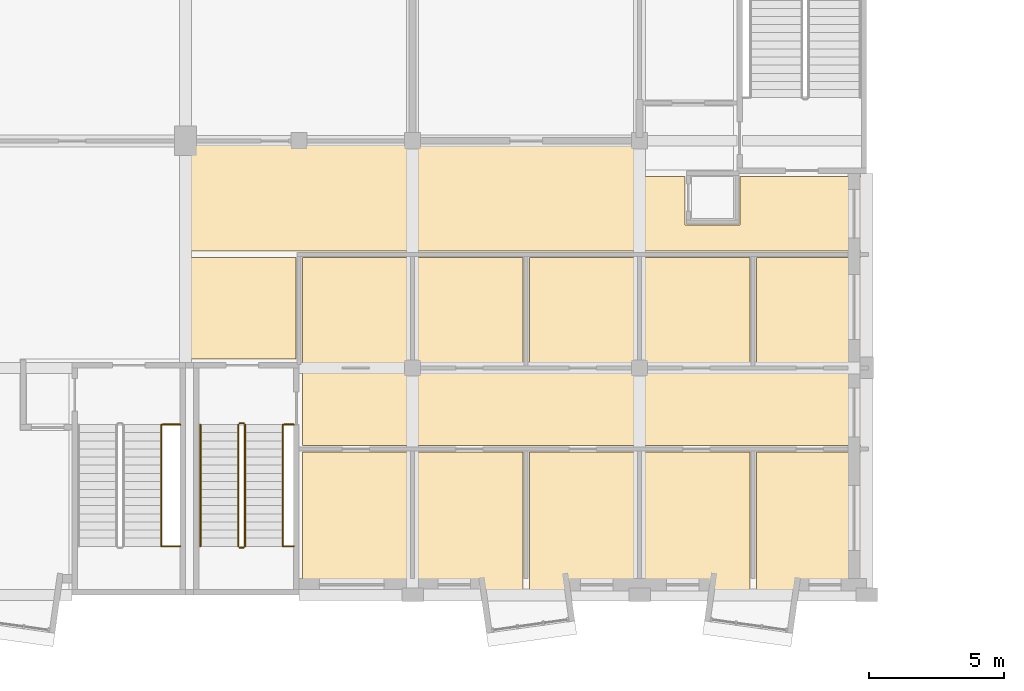
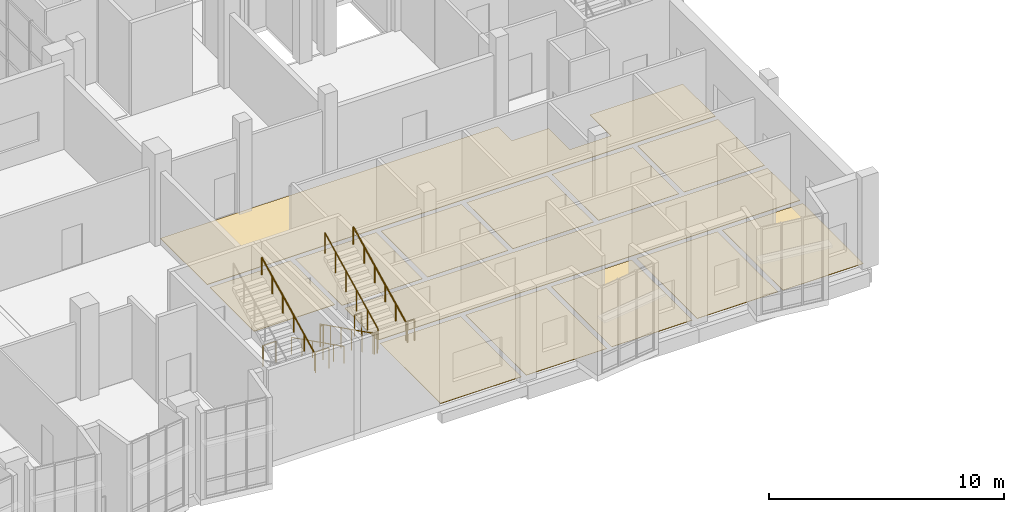
# One storey, part 69 of 91: 13 coverings, 11 railings.
"""IFC4 building model written with IfcOpenShell, lengths in metres."""

from ifc_helpers import new_model, si_unit, direction, frame, origin, origin_2d, place, context, subcontext, project, spatial, polyline, circle, outline, extrude, material, layer, layer_set, type_object, element, save


model = new_model("IFC4")

# Units and contexts
model_context = context("Model", 3, precision=1e-05, world=origin(), true_north=direction((0.0, 1.0)))
body_context = subcontext(model_context, "Body", "Model", "MODEL_VIEW")
ifc_project = project(units=[si_unit("LENGTHUNIT", "METRE"), si_unit("AREAUNIT", "SQUARE_METRE"), si_unit("VOLUMEUNIT", "CUBIC_METRE"), si_unit("PLANEANGLEUNIT", "RADIAN"), si_unit("MASSUNIT", "GRAM", prefix="KILO")], contexts=[model_context])

# Site, building, storey
site_placement = place(None, origin())
site = spatial("IfcSite", under=ifc_project, at=site_placement, CompositionType="ELEMENT")
building_placement = place(site_placement, origin())
building = spatial("IfcBuilding", under=site, at=building_placement, Name="Kiln Court Media Centre", CompositionType="ELEMENT")
storey_placement = place(building_placement, frame((0.0, 0.0, 5.39990234375)))
storey = spatial("IfcBuildingStorey", under=building, at=storey_placement, Name="L01", CompositionType="ELEMENT", Elevation=5.39990234375)

# Coverings
ifc_material_1 = material(Name="Carpet tile")
ifc_layer_1 = layer(ifc_material_1, 0.014892578125)
ifc_layer_set_1 = layer_set([ifc_layer_1], Name="Carpet tile floor finish 15")
covering_type_1 = type_object("IfcCoveringType", Name="Carpet tile floor finish 15", PredefinedType="FLOORING", material=ifc_layer_set_1)
covering_1_placement = place(storey_placement, origin())
element("IfcCovering", 1, at=covering_1_placement, inside=storey, type_object=covering_type_1, Name="Editing Suite 11 floor finish", PredefinedType="FLOORING", context=body_context, shape_type="SweptSolid", body=[
    extrude(outline(polyline([(37.919921875, 0.1201171875), (41.8798828125, 0.1201171875), (41.8798828125, 5.280029296875), (37.919921875, 5.280029296875), (37.919921875, 0.1201171875)])), origin(), (0.0, 0.0, 1.0), 0.01513671875),
])
covering_2_placement = place(storey_placement, origin())
element("IfcCovering", 2, at=covering_2_placement, inside=storey, type_object=covering_type_1, Name="Editing Suite 12 floor finish", PredefinedType="FLOORING", context=body_context, shape_type="SweptSolid", body=[
    extrude(outline(polyline([(42.1201171875, 0.1201171875), (46.080078125, 0.1201171875), (46.080078125, 5.280029296875), (42.1201171875, 5.280029296875), (42.1201171875, 0.1201171875)])), origin(), (0.0, 0.0, 1.0), 0.01513671875),
])
covering_3_placement = place(storey_placement, origin())
element("IfcCovering", 3, at=covering_3_placement, inside=storey, type_object=covering_type_1, Name="Editing Suite 13 floor finish", PredefinedType="FLOORING", context=body_context, shape_type="SweptSolid", body=[
    extrude(outline(polyline([(46.320068359375, 0.1201171875), (50.280029296875, 0.1201171875), (50.280029296875, 5.280029296875), (46.320068359375, 5.280029296875), (46.320068359375, 0.1201171875)])), origin(), (0.0, 0.0, 1.0), 0.01513671875),
])
covering_4_placement = place(storey_placement, origin())
element("IfcCovering", 4, at=covering_4_placement, inside=storey, type_object=covering_type_1, Name="Editing Suite 14 floor finish", PredefinedType="FLOORING", context=body_context, shape_type="SweptSolid", body=[
    extrude(outline(polyline([(50.52001953125, 0.1201171875), (54.47998046875, 0.1201171875), (54.47998046875, 5.280029296875), (50.52001953125, 5.280029296875), (50.52001953125, 0.1201171875)])), origin(), (0.0, 0.0, 1.0), 0.01513671875),
])
covering_5_placement = place(storey_placement, origin())
element("IfcCovering", 5, at=covering_5_placement, inside=storey, type_object=covering_type_1, Name="Editing Suite 15 floor finish", PredefinedType="FLOORING", context=body_context, shape_type="SweptSolid", body=[
    extrude(outline(polyline([(54.719970703125, 0.1201171875), (58.679931640625, 0.1201171875), (58.679931640625, 5.280029296875), (54.719970703125, 5.280029296875), (54.719970703125, 0.1201171875)])), origin(), (0.0, 0.0, 1.0), 0.01513671875),
])
covering_6_placement = place(storey_placement, origin())
element("IfcCovering", 6, at=covering_6_placement, inside=storey, type_object=covering_type_1, Name="Editing Suite 16 floor finish", PredefinedType="FLOORING", context=body_context, shape_type="SweptSolid", body=[
    extrude(outline(polyline([(37.919921875, 8.52001953125), (41.8798828125, 8.52001953125), (41.8798828125, 12.47998046875), (37.919921875, 12.47998046875), (37.919921875, 8.52001953125)])), origin(), (0.0, 0.0, 1.0), 0.01513671875),
])
covering_7_placement = place(storey_placement, origin())
element("IfcCovering", 7, at=covering_7_placement, inside=storey, type_object=covering_type_1, Name="Editing Suite 17 floor finish", PredefinedType="FLOORING", context=body_context, shape_type="SweptSolid", body=[
    extrude(outline(polyline([(42.1201171875, 8.52001953125), (46.080078125, 8.52001953125), (46.080078125, 12.47998046875), (42.1201171875, 12.47998046875), (42.1201171875, 8.52001953125)])), origin(), (0.0, 0.0, 1.0), 0.01513671875),
])
covering_8_placement = place(storey_placement, origin())
element("IfcCovering", 8, at=covering_8_placement, inside=storey, type_object=covering_type_1, Name="Editing Suite 18 floor finish", PredefinedType="FLOORING", context=body_context, shape_type="SweptSolid", body=[
    extrude(outline(polyline([(46.320068359375, 8.52001953125), (50.280029296875, 8.52001953125), (50.280029296875, 12.47998046875), (46.320068359375, 12.47998046875), (46.320068359375, 8.52001953125)])), origin(), (0.0, 0.0, 1.0), 0.01513671875),
])
covering_9_placement = place(storey_placement, origin())
element("IfcCovering", 9, at=covering_9_placement, inside=storey, type_object=covering_type_1, Name="Editing Suite 19 floor finish", PredefinedType="FLOORING", context=body_context, shape_type="SweptSolid", body=[
    extrude(outline(polyline([(50.52001953125, 8.52001953125), (54.47998046875, 8.52001953125), (54.47998046875, 12.47998046875), (50.52001953125, 12.47998046875), (50.52001953125, 8.52001953125)])), origin(), (0.0, 0.0, 1.0), 0.01513671875),
])
covering_10_placement = place(storey_placement, origin())
element("IfcCovering", 10, at=covering_10_placement, inside=storey, type_object=covering_type_1, Name="Editing Suite 20 floor finish", PredefinedType="FLOORING", context=body_context, shape_type="SweptSolid", body=[
    extrude(outline(polyline([(54.719970703125, 8.52001953125), (58.679931640625, 8.52001953125), (58.679931640625, 12.47998046875), (54.719970703125, 12.47998046875), (54.719970703125, 8.52001953125)])), origin(), (0.0, 0.0, 1.0), 0.01513671875),
])
ifc_material_2 = material(Name="Terrazzo")
ifc_layer_2 = layer(ifc_material_2, 0.02490234375)
ifc_layer_set_2 = layer_set([ifc_layer_2], Name="Polished terrazzo floor finish 25")
covering_type_2 = type_object("IfcCoveringType", Name="Polished terrazzo floor finish 25", PredefinedType="FLOORING", material=ifc_layer_set_2)
covering_11_placement = place(storey_placement, origin())
element("IfcCovering", 11, at=covering_11_placement, inside=storey, type_object=covering_type_2, Name="Suite Corridor floor finish", PredefinedType="FLOORING", context=body_context, shape_type="SweptSolid", body=[
    extrude(outline(polyline([(37.919921875, 5.52001953125), (58.679931640625, 5.52001953125), (58.679931640625, 8.280029296875), (37.919921875, 8.280029296875), (37.919921875, 5.52001953125)])), origin(), (0.0, 0.0, 1.0), 0.025146484375),
])
covering_12_placement = place(storey_placement, origin())
element("IfcCovering", 12, at=covering_12_placement, inside=storey, type_object=covering_type_2, Name="Stair 4 Lobby floor finish", PredefinedType="FLOORING", context=body_context, shape_type="SweptSolid", body=[
    extrude(outline(polyline([(33.719970703125, 12.47998046875), (33.719970703125, 8.719970703125), (37.679931640625, 8.719970703125), (37.679931640625, 12.47998046875), (33.719970703125, 12.47998046875)])), origin(), (0.0, 0.0, 1.0), 0.025146484375),
])
covering_13_placement = place(storey_placement, origin())
element("IfcCovering", 13, at=covering_13_placement, inside=storey, type_object=covering_type_2, Name="Editing Corridor floor finish", PredefinedType="FLOORING", context=body_context, shape_type="SweptSolid", body=[
    extrude(outline(polyline([(58.679931640625, 15.47998046875), (54.1201171875, 15.47998046875), (54.1201171875, 13.679931640625), (52.080078125, 13.679931640625), (52.080078125, 15.47998046875), (50.280029296875, 15.47998046875), (50.280029296875, 16.679931640625), (33.719970703125, 16.679931640625), (33.719970703125, 12.719970703125), (58.679931640625, 12.719970703125), (58.679931640625, 15.47998046875)])), origin(), (0.0, 0.0, 1.0), 0.025146484375),
])

# Railings
ifc_material_3 = material(Name="Steel S275", Category="steel")
railing_type_1 = type_object("IfcRailingType", Name="Steel S275 stair guard 1100", PredefinedType="GUARDRAIL", material=ifc_material_3)
for number, where, name in (
    (14, (32.75, 1.800048828125, 2.400146484375), "ST-03 landing edge guard"),
    (15, (32.75, 6.300048828125, 0.0), "ST-03 landing edge guard"),
):
    element("IfcRailing", number, at=place(storey_placement, frame(where)), inside=storey, type_object=railing_type_1, Name=name, PredefinedType="GUARDRAIL", context=body_context, shape_type="SweptSolid", body=[
        extrude(circle(Radius=0.02392578125, at=origin_2d()), frame((0.0, 0.0, 1.076171875), z_axis=(1.0, 0.0, 0.0), x_axis=(0.0, 1.0, 0.0)), (0.0, 0.0, 1.0), 0.64990234375),
        extrude(circle(Radius=0.02099609375, at=origin_2d()), origin(), (0.0, 0.0, 1.0), 1.052001953125),
        extrude(circle(Radius=0.02099609375, at=origin_2d()), frame((0.64990234375, 0.0, 0.0)), (0.0, 0.0, 1.0), 1.052001953125),
    ])
railing_1_placement = place(storey_placement, frame((35.550048828125, 6.300048828125, 0.150146484375)))
element("IfcRailing", 16, at=railing_1_placement, inside=storey, type_object=railing_type_1, Name="ST-04 stair guard", PredefinedType="GUARDRAIL", context=body_context, shape_type="SweptSolid", body=[
    extrude(circle(Radius=0.02392578125, at=origin_2d()), frame((0.0, 0.0, 1.076171875), z_axis=(0.0, -0.894427191, 0.4472135955), x_axis=(1.0, 0.0, 0.0)), (0.0, 0.0, 1.0), 5.03125),
    extrude(circle(Radius=0.02099609375, at=origin_2d()), origin(), (0.0, 0.0, 1.0), 1.052001953125),
    extrude(circle(Radius=0.02099609375, at=origin_2d()), frame((0.0, -0.89990234375, 0.449951171875)), (0.0, 0.0, 1.0), 1.052001953125),
    extrude(circle(Radius=0.02099609375, at=origin_2d()), frame((0.0, -1.800048828125, 0.89990234375)), (0.0, 0.0, 1.0), 1.052001953125),
    extrude(circle(Radius=0.02099609375, at=origin_2d()), frame((0.0, -2.699951171875, 1.35009765625)), (0.0, 0.0, 1.0), 1.052001953125),
    extrude(circle(Radius=0.02099609375, at=origin_2d()), frame((0.0, -3.60009765625, 1.800048828125)), (0.0, 0.0, 1.0), 1.052001953125),
    extrude(circle(Radius=0.02099609375, at=origin_2d()), frame((0.0, -4.5, 2.25)), (0.0, 0.0, 1.0), 1.052001953125),
])
railing_2_placement = place(storey_placement, frame((35.60009765625, 1.75, 2.400146484375)))
element("IfcRailing", 17, at=railing_2_placement, inside=storey, type_object=railing_type_1, Name="ST-04 stair guard", PredefinedType="GUARDRAIL", context=body_context, shape_type="SweptSolid", body=[
    extrude(circle(Radius=0.02392578125, at=origin_2d()), frame((0.0, 0.0, 1.076171875), z_axis=(1.0, 0.0, 0.0), x_axis=(0.0, 1.0, 0.0)), (0.0, 0.0, 1.0), 0.14990234375),
    extrude(circle(Radius=0.02099609375, at=origin_2d()), origin(), (0.0, 0.0, 1.0), 1.052001953125),
    extrude(circle(Radius=0.02099609375, at=origin_2d()), frame((0.14990234375, 0.0, 0.0)), (0.0, 0.0, 1.0), 1.052001953125),
])
railing_3_placement = place(storey_placement, frame((35.800048828125, 1.800048828125, 2.550048828125)))
element("IfcRailing", 18, at=railing_3_placement, inside=storey, type_object=railing_type_1, Name="ST-04 stair guard", PredefinedType="GUARDRAIL", context=body_context, shape_type="SweptSolid", body=[
    extrude(circle(Radius=0.02392578125, at=origin_2d()), frame((0.0, 0.0, 1.076171875), z_axis=(0.0, 0.894427191, 0.4472135955), x_axis=(-1.0, 0.0, 0.0)), (0.0, 0.0, 1.0), 5.03125),
    extrude(circle(Radius=0.02099609375, at=origin_2d()), origin(), (0.0, 0.0, 1.0), 1.052001953125),
    extrude(circle(Radius=0.02099609375, at=origin_2d()), frame((0.0, 0.89990234375, 0.449951171875)), (0.0, 0.0, 1.0), 1.052001953125),
    extrude(circle(Radius=0.02099609375, at=origin_2d()), frame((0.0, 1.800048828125, 0.89990234375)), (0.0, 0.0, 1.0), 1.052001953125),
    extrude(circle(Radius=0.02099609375, at=origin_2d()), frame((0.0, 2.699951171875, 1.35009765625)), (0.0, 0.0, 1.0), 1.052001953125),
    extrude(circle(Radius=0.02099609375, at=origin_2d()), frame((0.0, 3.60009765625, 1.800048828125)), (0.0, 0.0, 1.0), 1.052001953125),
    extrude(circle(Radius=0.02099609375, at=origin_2d()), frame((0.0, 4.5, 2.25)), (0.0, 0.0, 1.0), 1.052001953125),
])
railing_4_placement = place(storey_placement, frame((35.60009765625, 6.35009765625, 0.0)))
element("IfcRailing", 19, at=railing_4_placement, inside=storey, type_object=railing_type_1, Name="ST-04 stair guard", PredefinedType="GUARDRAIL", context=body_context, shape_type="SweptSolid", body=[
    extrude(circle(Radius=0.02392578125, at=origin_2d()), frame((0.0, 0.0, 1.076171875), z_axis=(1.0, 0.0, 0.0), x_axis=(0.0, 1.0, 0.0)), (0.0, 0.0, 1.0), 0.14990234375),
    extrude(circle(Radius=0.02099609375, at=origin_2d()), origin(), (0.0, 0.0, 1.0), 1.052001953125),
    extrude(circle(Radius=0.02099609375, at=origin_2d()), frame((0.14990234375, 0.0, 0.0)), (0.0, 0.0, 1.0), 1.052001953125),
])
for number, where, name in (
    (20, (37.25, 1.800048828125, 2.400146484375), "ST-04 landing edge guard"),
    (21, (37.25, 6.300048828125, 0.0), "ST-04 landing edge guard"),
):
    element("IfcRailing", number, at=place(storey_placement, frame(where)), inside=storey, type_object=railing_type_1, Name=name, PredefinedType="GUARDRAIL", context=body_context, shape_type="SweptSolid", body=[
        extrude(circle(Radius=0.02392578125, at=origin_2d()), frame((0.0, 0.0, 1.076171875), z_axis=(1.0, 0.0, 0.0), x_axis=(0.0, 1.0, 0.0)), (0.0, 0.0, 1.0), 0.35009765625),
        extrude(circle(Radius=0.02099609375, at=origin_2d()), origin(), (0.0, 0.0, 1.0), 1.052001953125),
        extrude(circle(Radius=0.02099609375, at=origin_2d()), frame((0.35009765625, 0.0, 0.0)), (0.0, 0.0, 1.0), 1.052001953125),
    ])
ifc_material_4 = material(Name="Steel S275", Category="steel")
railing_type_2 = type_object("IfcRailingType", Name="Steel S275 stair handrail 900", PredefinedType="HANDRAIL", material=ifc_material_4)
railing_5_placement = place(storey_placement, frame((32.699951171875, 1.800048828125, 2.550048828125)))
element("IfcRailing", 22, at=railing_5_placement, inside=storey, type_object=railing_type_2, Name="ST-03 stair handrail", PredefinedType="HANDRAIL", context=body_context, shape_type="SweptSolid", body=[
    extrude(circle(Radius=0.02392578125, at=origin_2d()), frame((0.0, 0.0, 0.8759765625), z_axis=(0.0, 0.894427191, 0.4472135955), x_axis=(-1.0, 0.0, 0.0)), (0.0, 0.0, 1.0), 5.03125),
    extrude(circle(Radius=0.02099609375, at=origin_2d()), origin(), (0.0, 0.0, 1.0), 0.851806640625),
    extrude(circle(Radius=0.02099609375, at=origin_2d()), frame((0.0, 0.89990234375, 0.449951171875)), (0.0, 0.0, 1.0), 0.851806640625),
    extrude(circle(Radius=0.02099609375, at=origin_2d()), frame((0.0, 1.800048828125, 0.89990234375)), (0.0, 0.0, 1.0), 0.851806640625),
    extrude(circle(Radius=0.02099609375, at=origin_2d()), frame((0.0, 2.699951171875, 1.35009765625)), (0.0, 0.0, 1.0), 0.851806640625),
    extrude(circle(Radius=0.02099609375, at=origin_2d()), frame((0.0, 3.60009765625, 1.800048828125)), (0.0, 0.0, 1.0), 0.851806640625),
    extrude(circle(Radius=0.02099609375, at=origin_2d()), frame((0.0, 4.5, 2.25)), (0.0, 0.0, 1.0), 0.851806640625),
])
railing_6_placement = place(storey_placement, frame((34.14990234375, 6.300048828125, 0.150146484375)))
element("IfcRailing", 23, at=railing_6_placement, inside=storey, type_object=railing_type_2, Name="ST-04 stair handrail", PredefinedType="HANDRAIL", context=body_context, shape_type="SweptSolid", body=[
    extrude(circle(Radius=0.02392578125, at=origin_2d()), frame((0.0, 0.0, 0.8759765625), z_axis=(0.0, -0.894427191, 0.4472135955), x_axis=(1.0, 0.0, 0.0)), (0.0, 0.0, 1.0), 5.03125),
    extrude(circle(Radius=0.02099609375, at=origin_2d()), origin(), (0.0, 0.0, 1.0), 0.851806640625),
    extrude(circle(Radius=0.02099609375, at=origin_2d()), frame((0.0, -0.89990234375, 0.449951171875)), (0.0, 0.0, 1.0), 0.851806640625),
    extrude(circle(Radius=0.02099609375, at=origin_2d()), frame((0.0, -1.800048828125, 0.89990234375)), (0.0, 0.0, 1.0), 0.851806640625),
    extrude(circle(Radius=0.02099609375, at=origin_2d()), frame((0.0, -2.699951171875, 1.35009765625)), (0.0, 0.0, 1.0), 0.851806640625),
    extrude(circle(Radius=0.02099609375, at=origin_2d()), frame((0.0, -3.60009765625, 1.800048828125)), (0.0, 0.0, 1.0), 0.851806640625),
    extrude(circle(Radius=0.02099609375, at=origin_2d()), frame((0.0, -4.5, 2.25)), (0.0, 0.0, 1.0), 0.851806640625),
])
railing_7_placement = place(storey_placement, frame((37.199951171875, 1.800048828125, 2.550048828125)))
element("IfcRailing", 24, at=railing_7_placement, inside=storey, type_object=railing_type_2, Name="ST-04 stair handrail", PredefinedType="HANDRAIL", context=body_context, shape_type="SweptSolid", body=[
    extrude(circle(Radius=0.02392578125, at=origin_2d()), frame((0.0, 0.0, 0.8759765625), z_axis=(0.0, 0.894427191, 0.4472135955), x_axis=(-1.0, 0.0, 0.0)), (0.0, 0.0, 1.0), 5.03125),
    extrude(circle(Radius=0.02099609375, at=origin_2d()), origin(), (0.0, 0.0, 1.0), 0.851806640625),
    extrude(circle(Radius=0.02099609375, at=origin_2d()), frame((0.0, 0.89990234375, 0.449951171875)), (0.0, 0.0, 1.0), 0.851806640625),
    extrude(circle(Radius=0.02099609375, at=origin_2d()), frame((0.0, 1.800048828125, 0.89990234375)), (0.0, 0.0, 1.0), 0.851806640625),
    extrude(circle(Radius=0.02099609375, at=origin_2d()), frame((0.0, 2.699951171875, 1.35009765625)), (0.0, 0.0, 1.0), 0.851806640625),
    extrude(circle(Radius=0.02099609375, at=origin_2d()), frame((0.0, 3.60009765625, 1.800048828125)), (0.0, 0.0, 1.0), 0.851806640625),
    extrude(circle(Radius=0.02099609375, at=origin_2d()), frame((0.0, 4.5, 2.25)), (0.0, 0.0, 1.0), 0.851806640625),
])

save(model, "model.ifc")
